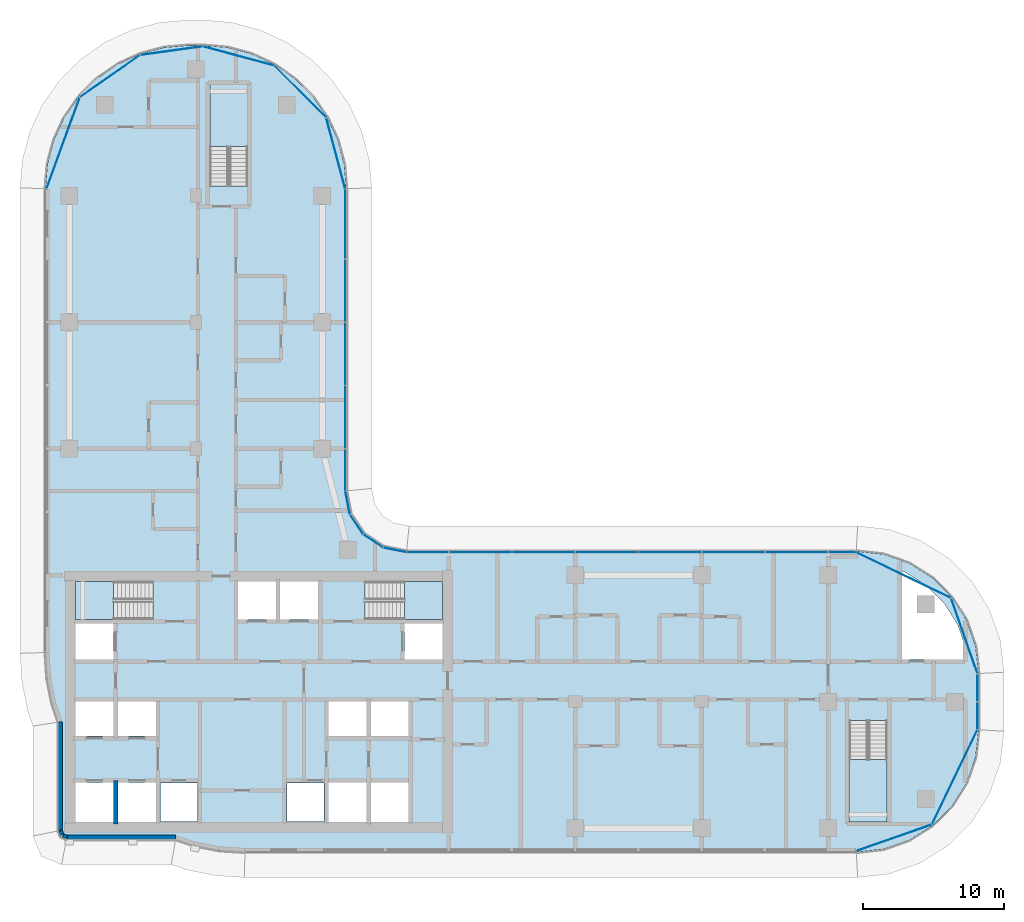
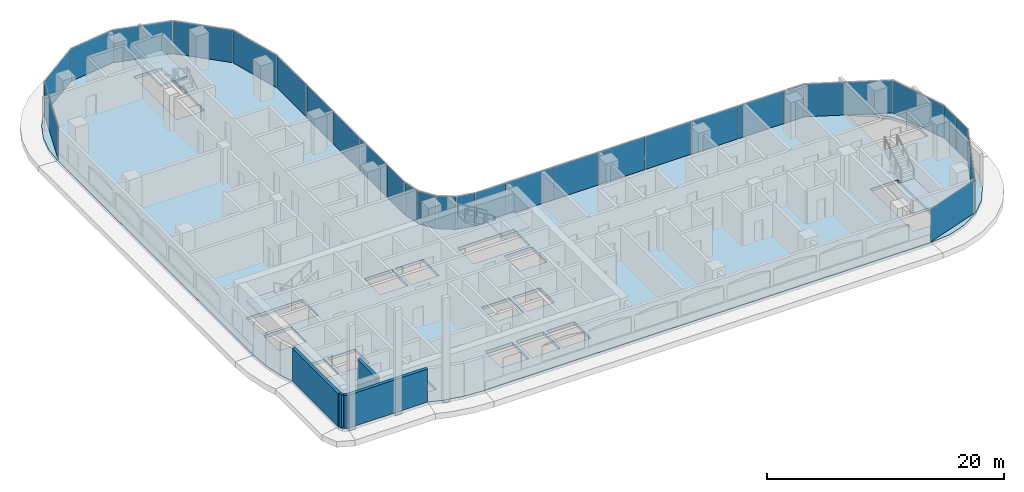
# One storey, part 8 of 25: 29 plates, 5 slabs, 5 walls, 11 elements without a shape of their own.
"""IFC4 building model written with IfcOpenShell, lengths in metres."""

from ifc_helpers import new_model, si_unit, direction, frame, frame_2d, origin, origin_2d, place, context, subcontext, project, spatial, polyline, rectangle, outline, extrude, material, layer, layer_set, type_object, element, aggregate, save


model = new_model("IFC4")

# Units and contexts
model_context = context("Model", 3, precision=1e-05, world=origin(), true_north=direction((0.0, 1.0)))
body_context = subcontext(model_context, "Body", "Model", "MODEL_VIEW")
ifc_project = project(units=[si_unit("LENGTHUNIT", "METRE"), si_unit("AREAUNIT", "SQUARE_METRE"), si_unit("VOLUMEUNIT", "CUBIC_METRE"), si_unit("PLANEANGLEUNIT", "RADIAN"), si_unit("MASSUNIT", "GRAM", prefix="KILO")], contexts=[model_context])

# Site, building, storey
site_placement = place(None, origin())
site = spatial("IfcSite", under=ifc_project, at=site_placement, CompositionType="ELEMENT")
building_placement = place(site_placement, origin())
building = spatial("IfcBuilding", under=site, at=building_placement, Name="Ogive Portal Towers", CompositionType="ELEMENT")
storey_placement = place(building_placement, frame((0.0, 0.0, 124.10009765625)))
storey = spatial("IfcBuildingStorey", under=building, at=storey_placement, Name="L30", CompositionType="ELEMENT", Elevation=124.10009765625)

# Curtain wall, plates
ifc_material_1 = material(Name="Glass, clear low-iron insulated glazing", Category="glass")
curtain_wall_type = type_object("IfcCurtainWallType", Name="CW FRONT RIBBON 4500", PredefinedType="NOTDEFINED", material=ifc_material_1)
curtain_wall_1_placement = place(storey_placement, origin())
curtain_wall_1 = element("IfcCurtainWall", 1, at=curtain_wall_1_placement, inside=storey, type_object=curtain_wall_type, Name="A:L30:f10:cw0", PredefinedType="NOTDEFINED")
ifc_layer_1 = layer(ifc_material_1, 0.028076171875)
ifc_layer_set_1 = layer_set([ifc_layer_1], Name="CW PANEL IGU 28")
plate_type = type_object("IfcPlateType", Name="CW PANEL IGU 28", PredefinedType="CURTAIN_PANEL", material=ifc_layer_set_1)
plate_1_placement = place(storey_placement, frame((96.135009765625, 29.509033203125, 0.0), z_axis=(0.0, 0.0, 1.0), x_axis=(0.0, 1.0, 0.0)))
plate_1 = element("IfcPlate", 2, at=plate_1_placement, type_object=plate_type, Name="panel", PredefinedType="CURTAIN_PANEL", context=body_context, shape_type="SweptSolid", body=[
    extrude(rectangle(XDim=1.921630859375, YDim=0.028076171875, at=origin_2d()), origin(), (0.0, 0.0, 1.0), 3.340087890625),
])
plate_2_placement = place(storey_placement, frame((96.135009765625, 31.4931640625, 0.0), z_axis=(0.0, 0.0, 1.0), x_axis=(0.0, 1.0, 0.0)))
plate_2 = element("IfcPlate", 3, at=plate_2_placement, type_object=plate_type, Name="panel", PredefinedType="CURTAIN_PANEL", context=body_context, shape_type="SweptSolid", body=[
    extrude(rectangle(XDim=1.926513671875, YDim=0.028076171875, at=origin_2d()), origin(), (0.0, 0.0, 1.0), 3.340087890625),
])
aggregate(curtain_wall_1, [plate_1, plate_2])

curtain_wall_2_placement = place(storey_placement, origin())
curtain_wall_2 = element("IfcCurtainWall", 4, at=curtain_wall_2_placement, inside=storey, type_object=curtain_wall_type, Name="A:L30:f13:cw0", PredefinedType="NOTDEFINED")
plate_3_placement = place(storey_placement, frame((86.490966796875, 41.135009765625, 0.0), z_axis=(0.0, 0.0, 1.0), x_axis=(-1.0, 0.0, 0.0)))
plate_3 = element("IfcPlate", 5, at=plate_3_placement, type_object=plate_type, Name="panel", PredefinedType="CURTAIN_PANEL", context=body_context, shape_type="SweptSolid", body=[
    extrude(rectangle(XDim=1.921630859375, YDim=0.028076171875, at=origin_2d()), origin(), (0.0, 0.0, 1.0), 3.340087890625),
])
plate_4_placement = place(storey_placement, frame((83.25, 41.135009765625, 0.0), z_axis=(0.0, 0.0, 1.0), x_axis=(-1.0, 0.0, 0.0)))
plate_4 = element("IfcPlate", 6, at=plate_4_placement, type_object=plate_type, Name="panel", PredefinedType="CURTAIN_PANEL", context=body_context, shape_type="SweptSolid", body=[
    extrude(rectangle(XDim=4.43994140625, YDim=0.028076171875, at=origin_2d()), origin(), (0.0, 0.0, 1.0), 3.340087890625),
])
plate_5_placement = place(storey_placement, frame((78.75, 41.135009765625, 0.0), z_axis=(0.0, 0.0, 1.0), x_axis=(-1.0, 0.0, 0.0)))
plate_5 = element("IfcPlate", 7, at=plate_5_placement, type_object=plate_type, Name="panel", PredefinedType="CURTAIN_PANEL", context=body_context, shape_type="SweptSolid", body=[
    extrude(rectangle(XDim=4.43994140625, YDim=0.028076171875, at=origin_2d()), origin(), (0.0, 0.0, 1.0), 3.340087890625),
])
plate_6_placement = place(storey_placement, frame((74.25, 41.135009765625, 0.0), z_axis=(0.0, 0.0, 1.0), x_axis=(-1.0, 0.0, 0.0)))
plate_6 = element("IfcPlate", 8, at=plate_6_placement, type_object=plate_type, Name="panel", PredefinedType="CURTAIN_PANEL", context=body_context, shape_type="SweptSolid", body=[
    extrude(rectangle(XDim=4.43994140625, YDim=0.028076171875, at=origin_2d()), origin(), (0.0, 0.0, 1.0), 3.340087890625),
])
plate_7_placement = place(storey_placement, frame((69.75, 41.135009765625, 0.0), z_axis=(0.0, 0.0, 1.0), x_axis=(-1.0, 0.0, 0.0)))
plate_7 = element("IfcPlate", 9, at=plate_7_placement, type_object=plate_type, Name="panel", PredefinedType="CURTAIN_PANEL", context=body_context, shape_type="SweptSolid", body=[
    extrude(rectangle(XDim=4.43994140625, YDim=0.028076171875, at=origin_2d()), origin(), (0.0, 0.0, 1.0), 3.340087890625),
])
plate_8_placement = place(storey_placement, frame((65.25, 41.135009765625, 0.0), z_axis=(0.0, 0.0, 1.0), x_axis=(-1.0, 0.0, 0.0)))
plate_8 = element("IfcPlate", 10, at=plate_8_placement, type_object=plate_type, Name="panel", PredefinedType="CURTAIN_PANEL", context=body_context, shape_type="SweptSolid", body=[
    extrude(rectangle(XDim=4.43994140625, YDim=0.028076171875, at=origin_2d()), origin(), (0.0, 0.0, 1.0), 3.340087890625),
])
plate_9_placement = place(storey_placement, frame((60.75, 41.135009765625, 0.0), z_axis=(0.0, 0.0, 1.0), x_axis=(-1.0, 0.0, 0.0)))
plate_9 = element("IfcPlate", 11, at=plate_9_placement, type_object=plate_type, Name="panel", PredefinedType="CURTAIN_PANEL", context=body_context, shape_type="SweptSolid", body=[
    extrude(rectangle(XDim=4.43994140625, YDim=0.028076171875, at=origin_2d()), origin(), (0.0, 0.0, 1.0), 3.340087890625),
])
plate_10_placement = place(storey_placement, frame((56.99609375, 41.135009765625, 0.0), z_axis=(0.0, 0.0, 1.0), x_axis=(-1.0, 0.0, 0.0)))
plate_10 = element("IfcPlate", 12, at=plate_10_placement, type_object=plate_type, Name="panel", PredefinedType="CURTAIN_PANEL", context=body_context, shape_type="SweptSolid", body=[
    extrude(rectangle(XDim=2.947998046875, YDim=0.028076171875, at=origin_2d()), origin(), (0.0, 0.0, 1.0), 3.340087890625),
])
aggregate(curtain_wall_2, [plate_3, plate_4, plate_5, plate_6, plate_7, plate_8, plate_9, plate_10])

curtain_wall_3_placement = place(storey_placement, origin())
curtain_wall_3 = element("IfcCurtainWall", 13, at=curtain_wall_3_placement, inside=storey, type_object=curtain_wall_type, Name="A:L30:f18:cw0", PredefinedType="NOTDEFINED")
plate_11_placement = place(storey_placement, frame((51.135009765625, 46.99609375, 0.0), z_axis=(0.0, 0.0, 1.0), x_axis=(0.0, 1.0, 0.0)))
plate_11 = element("IfcPlate", 14, at=plate_11_placement, type_object=plate_type, Name="panel", PredefinedType="CURTAIN_PANEL", context=body_context, shape_type="SweptSolid", body=[
    extrude(rectangle(XDim=2.947998046875, YDim=0.028076171875, at=origin_2d()), origin(), (0.0, 0.0, 1.0), 3.340087890625),
])
plate_12_placement = place(storey_placement, frame((51.135009765625, 50.75, 0.0), z_axis=(0.0, 0.0, 1.0), x_axis=(0.0, 1.0, 0.0)))
plate_12 = element("IfcPlate", 15, at=plate_12_placement, type_object=plate_type, Name="panel", PredefinedType="CURTAIN_PANEL", context=body_context, shape_type="SweptSolid", body=[
    extrude(rectangle(XDim=4.43994140625, YDim=0.028076171875, at=origin_2d()), origin(), (0.0, 0.0, 1.0), 3.340087890625),
])
plate_13_placement = place(storey_placement, frame((51.135009765625, 55.25, 0.0), z_axis=(0.0, 0.0, 1.0), x_axis=(0.0, 1.0, 0.0)))
plate_13 = element("IfcPlate", 16, at=plate_13_placement, type_object=plate_type, Name="panel", PredefinedType="CURTAIN_PANEL", context=body_context, shape_type="SweptSolid", body=[
    extrude(rectangle(XDim=4.43994140625, YDim=0.028076171875, at=origin_2d()), origin(), (0.0, 0.0, 1.0), 3.340087890625),
])
plate_14_placement = place(storey_placement, frame((51.135009765625, 59.75, 0.0), z_axis=(0.0, 0.0, 1.0), x_axis=(0.0, 1.0, 0.0)))
plate_14 = element("IfcPlate", 17, at=plate_14_placement, type_object=plate_type, Name="panel", PredefinedType="CURTAIN_PANEL", context=body_context, shape_type="SweptSolid", body=[
    extrude(rectangle(XDim=4.43994140625, YDim=0.028076171875, at=origin_2d()), origin(), (0.0, 0.0, 1.0), 3.340087890625),
])
plate_15_placement = place(storey_placement, frame((51.135009765625, 64.49462890625, 0.0), z_axis=(0.0, 0.0, 1.0), x_axis=(0.0, 1.0, 0.0)))
plate_15 = element("IfcPlate", 18, at=plate_15_placement, type_object=plate_type, Name="panel", PredefinedType="CURTAIN_PANEL", context=body_context, shape_type="SweptSolid", body=[
    extrude(rectangle(XDim=4.929443359375, YDim=0.028076171875, at=origin_2d()), origin(), (0.0, 0.0, 1.0), 3.340087890625),
])
aggregate(curtain_wall_3, [plate_11, plate_12, plate_13, plate_14, plate_15])

curtain_wall_4_placement = place(storey_placement, origin())
curtain_wall_4 = element("IfcCurtainWall", 19, at=curtain_wall_4_placement, inside=storey, type_object=curtain_wall_type, Name="A:L30:f08:cwa", PredefinedType="NOTDEFINED")
plate_16_placement = place(storey_placement, frame((90.18115234375, 20.807861328125, 0.0), z_axis=(0.0, 0.0, 1.0), x_axis=(0.943883330307, 0.33027906196, 0.0)))
plate_16 = element("IfcPlate", 20, at=plate_16_placement, type_object=plate_type, Name="panel", PredefinedType="CURTAIN_PANEL", context=body_context, shape_type="SweptSolid", body=[
    extrude(rectangle(XDim=5.650146484375, YDim=0.028076171875, at=origin_2d()), origin(), (0.0, 0.0, 1.0), 3.340087890625),
])
plate_17_placement = place(storey_placement, frame((94.505615234375, 25.134521484375, 0.0), z_axis=(0.0, 0.0, 1.0), x_axis=(0.433883739113, 0.900968867905, 0.0)))
plate_17 = element("IfcPlate", 21, at=plate_17_placement, type_object=plate_type, Name="panel", PredefinedType="CURTAIN_PANEL", context=body_context, shape_type="SweptSolid", body=[
    extrude(rectangle(XDim=7.451171875, YDim=0.028076171875, at=origin_2d()), origin(), (0.0, 0.0, 1.0), 3.340087890625),
])
aggregate(curtain_wall_4, [plate_16, plate_17])

curtain_wall_5_placement = place(storey_placement, origin())
curtain_wall_5 = element("IfcCurtainWall", 22, at=curtain_wall_5_placement, inside=storey, type_object=curtain_wall_type, Name="A:L30:f11:cwa", PredefinedType="NOTDEFINED")
plate_18_placement = place(storey_placement, frame((95.192138671875, 35.18115234375, 0.0), z_axis=(0.0, 0.0, 1.0), x_axis=(-0.33027906196, 0.943883330307, 0.0)))
plate_18 = element("IfcPlate", 23, at=plate_18_placement, type_object=plate_type, Name="panel", PredefinedType="CURTAIN_PANEL", context=body_context, shape_type="SweptSolid", body=[
    extrude(rectangle(XDim=5.650146484375, YDim=0.028076171875, at=origin_2d()), origin(), (0.0, 0.0, 1.0), 3.340087890625),
])
plate_19_placement = place(storey_placement, frame((90.865478515625, 39.505615234375, 0.0), z_axis=(0.0, 0.0, 1.0), x_axis=(-0.900968867905, 0.433883739113, 0.0)))
plate_19 = element("IfcPlate", 24, at=plate_19_placement, type_object=plate_type, Name="panel", PredefinedType="CURTAIN_PANEL", context=body_context, shape_type="SweptSolid", body=[
    extrude(rectangle(XDim=7.451171875, YDim=0.028076171875, at=origin_2d()), origin(), (0.0, 0.0, 1.0), 3.340087890625),
])
aggregate(curtain_wall_5, [plate_18, plate_19])

curtain_wall_6_placement = place(storey_placement, origin())
curtain_wall_6 = element("IfcCurtainWall", 25, at=curtain_wall_6_placement, inside=storey, type_object=curtain_wall_type, Name="A:L30:f14:cwa", PredefinedType="NOTDEFINED")
plate_20_placement = place(storey_placement, frame((54.66064453125, 41.30029296875, 0.0), z_axis=(0.0, 0.0, 1.0), x_axis=(-0.980785280403, 0.195090322016, 0.0)))
plate_20 = element("IfcPlate", 26, at=plate_20_placement, type_object=plate_type, Name="panel", PredefinedType="CURTAIN_PANEL", context=body_context, shape_type="SweptSolid", body=[
    extrude(rectangle(XDim=1.6357421875, YDim=0.028076171875, at=origin_2d()), origin(), (0.0, 0.0, 1.0), 3.340087890625),
])
plate_21_placement = place(storey_placement, frame((53.12060546875, 41.939208984375, 0.0), z_axis=(0.0, 0.0, 1.0), x_axis=(-0.831469612303, 0.55557023302, 0.0)))
plate_21 = element("IfcPlate", 27, at=plate_21_placement, type_object=plate_type, Name="panel", PredefinedType="CURTAIN_PANEL", context=body_context, shape_type="SweptSolid", body=[
    extrude(rectangle(XDim=1.643798828125, YDim=0.028076171875, at=origin_2d()), origin(), (0.0, 0.0, 1.0), 3.340087890625),
])
plate_22_placement = place(storey_placement, frame((51.939208984375, 43.12060546875, 0.0), z_axis=(0.0, 0.0, 1.0), x_axis=(-0.55557023302, 0.831469612303, 0.0)))
plate_22 = element("IfcPlate", 28, at=plate_22_placement, type_object=plate_type, Name="panel", PredefinedType="CURTAIN_PANEL", context=body_context, shape_type="SweptSolid", body=[
    extrude(rectangle(XDim=1.643798828125, YDim=0.028076171875, at=origin_2d()), origin(), (0.0, 0.0, 1.0), 3.340087890625),
])
plate_23_placement = place(storey_placement, frame((51.30029296875, 44.66064453125, 0.0), z_axis=(0.0, 0.0, 1.0), x_axis=(-0.195090322016, 0.980785280403, 0.0)))
plate_23 = element("IfcPlate", 29, at=plate_23_placement, type_object=plate_type, Name="panel", PredefinedType="CURTAIN_PANEL", context=body_context, shape_type="SweptSolid", body=[
    extrude(rectangle(XDim=1.6357421875, YDim=0.028076171875, at=origin_2d()), origin(), (0.0, 0.0, 1.0), 3.340087890625),
])
aggregate(curtain_wall_6, [plate_20, plate_21, plate_22, plate_23])

curtain_wall_7_placement = place(storey_placement, origin())
curtain_wall_7 = element("IfcCurtainWall", 30, at=curtain_wall_7_placement, inside=storey, type_object=curtain_wall_type, Name="A:L30:f19:cwa", PredefinedType="NOTDEFINED")
plate_24_placement = place(storey_placement, frame((50.454833984375, 69.52783203125, 0.0), z_axis=(0.0, 0.0, 1.0), x_axis=(-0.258819045103, 0.965925826289, 0.0)))
plate_24 = element("IfcPlate", 31, at=plate_24_placement, type_object=plate_type, Name="panel", PredefinedType="CURTAIN_PANEL", context=body_context, shape_type="SweptSolid", body=[
    extrude(rectangle(XDim=5.19580078125, YDim=0.028076171875, at=origin_2d()), origin(), (0.0, 0.0, 1.0), 3.340087890625),
])
plate_25_placement = place(storey_placement, frame((47.92041015625, 73.92041015625, 0.0), z_axis=(0.0, 0.0, 1.0), x_axis=(-0.707106781187, 0.707106781187, 0.0)))
plate_25 = element("IfcPlate", 32, at=plate_25_placement, type_object=plate_type, Name="panel", PredefinedType="CURTAIN_PANEL", context=body_context, shape_type="SweptSolid", body=[
    extrude(rectangle(XDim=5.184814453125, YDim=0.028076171875, at=origin_2d()), origin(), (0.0, 0.0, 1.0), 3.340087890625),
])
plate_26_placement = place(storey_placement, frame((43.530517578125, 76.4541015625, 0.0), z_axis=(0.0, 0.0, 1.0), x_axis=(-0.965925826289, 0.258819045103, 0.0)))
plate_26 = element("IfcPlate", 33, at=plate_26_placement, type_object=plate_type, Name="panel", PredefinedType="CURTAIN_PANEL", context=body_context, shape_type="SweptSolid", body=[
    extrude(rectangle(XDim=5.190185546875, YDim=0.028076171875, at=origin_2d()), origin(), (0.0, 0.0, 1.0), 3.340087890625),
])
plate_27_placement = place(storey_placement, frame((38.765625, 76.827880859375, 0.0), z_axis=(0.0, 0.0, 1.0), x_axis=(-0.990733764465, -0.135818290186, 0.0)))
plate_27 = element("IfcPlate", 34, at=plate_27_placement, type_object=plate_type, Name="panel", PredefinedType="CURTAIN_PANEL", context=body_context, shape_type="SweptSolid", body=[
    extrude(rectangle(XDim=4.440185546875, YDim=0.028076171875, at=origin_2d()), origin(), (0.0, 0.0, 1.0), 3.340087890625),
])
plate_28_placement = place(storey_placement, frame((34.388916015625, 75.0185546875, 0.0), z_axis=(0.0, 0.0, 1.0), x_axis=(-0.819152044289, -0.573576436351, 0.0)))
plate_28 = element("IfcPlate", 35, at=plate_28_placement, type_object=plate_type, Name="panel", PredefinedType="CURTAIN_PANEL", context=body_context, shape_type="SweptSolid", body=[
    extrude(rectangle(XDim=5.18310546875, YDim=0.028076171875, at=origin_2d()), origin(), (0.0, 0.0, 1.0), 3.340087890625),
])
plate_29_placement = place(storey_placement, frame((31.05322265625, 70.25048828125, 0.0), z_axis=(0.0, 0.0, 1.0), x_axis=(-0.342020143326, -0.939692620786, 0.0)))
plate_29 = element("IfcPlate", 36, at=plate_29_placement, type_object=plate_type, Name="panel", PredefinedType="CURTAIN_PANEL", context=body_context, shape_type="SweptSolid", body=[
    extrude(rectangle(XDim=6.88818359375, YDim=0.028076171875, at=origin_2d()), origin(), (0.0, 0.0, 1.0), 3.340087890625),
])
aggregate(curtain_wall_7, [plate_24, plate_25, plate_26, plate_27, plate_28, plate_29])

# Stair, slab
ifc_material_2 = material(Name="Concrete C40/50", Category="concrete")
stair_type = type_object("IfcStairType", Name="INT-STAIR", PredefinedType="HALF_TURN_STAIR", material=ifc_material_2)
stair_1_placement = place(storey_placement, origin())
stair_1 = element("IfcStair", 37, at=stair_1_placement, inside=storey, type_object=stair_type, Name="L30 Exit Stair ST-A1", PredefinedType="HALF_TURN_STAIR")
ifc_layer_2 = layer(ifc_material_2, 0.199951171875)
ifc_layer_set_2 = layer_set([ifc_layer_2], Name="INT-LANDING")
slab_type_1 = type_object("IfcSlabType", Name="INT-LANDING", PredefinedType="LANDING", material=ifc_layer_set_2)
slab_1_placement = place(storey_placement, frame((0.0, 0.0, 1.64990234375)))
slab_1 = element("IfcSlab", 38, at=slab_1_placement, type_object=slab_type_1, Name="ST-A1 landing 1", PredefinedType="LANDING", context=body_context, shape_type="SweptSolid", body=[
    extrude(outline(polyline([(34.64990234375, 39.050048828125), (31.949951171875, 39.050048828125), (31.949951171875, 36.35009765625), (34.64990234375, 36.35009765625), (34.64990234375, 39.050048828125)])), origin(), (0.0, 0.0, 1.0), 0.199951171875),
])
aggregate(stair_1, [slab_1])

stair_2_placement = place(storey_placement, origin())
stair_2 = element("IfcStair", 39, at=stair_2_placement, inside=storey, type_object=stair_type, Name="L30 Exit Stair ST-A2", PredefinedType="HALF_TURN_STAIR")
slab_2_placement = place(storey_placement, frame((0.0, 0.0, 1.64990234375)))
slab_2 = element("IfcSlab", 40, at=slab_2_placement, type_object=slab_type_1, Name="ST-A2 landing 1", PredefinedType="LANDING", context=body_context, shape_type="SweptSolid", body=[
    extrude(outline(polyline([(55.35009765625, 36.35009765625), (58.050048828125, 36.35009765625), (58.050048828125, 39.050048828125), (55.35009765625, 39.050048828125), (55.35009765625, 36.35009765625)])), origin(), (0.0, 0.0, 1.0), 0.199951171875),
])
aggregate(stair_2, [slab_2])

stair_3_placement = place(storey_placement, origin())
stair_3 = element("IfcStair", 41, at=stair_3_placement, inside=storey, type_object=stair_type, Name="L30 Exit Stair ST-A3", PredefinedType="HALF_TURN_STAIR")
slab_3_placement = place(storey_placement, frame((0.0, 0.0, 1.64990234375)))
slab_3 = element("IfcSlab", 42, at=slab_3_placement, type_object=slab_type_1, Name="ST-A3 landing 1", PredefinedType="LANDING", context=body_context, shape_type="SweptSolid", body=[
    extrude(outline(polyline([(44.199951171875, 70.0), (44.199951171875, 74.449951171875), (41.5, 74.449951171875), (41.5, 70.0), (44.199951171875, 70.0)])), origin(), (0.0, 0.0, 1.0), 0.199951171875),
])
aggregate(stair_3, [slab_3])

stair_4_placement = place(storey_placement, origin())
stair_4 = element("IfcStair", 43, at=stair_4_placement, inside=storey, type_object=stair_type, Name="L30 Exit Stair ST-A4", PredefinedType="HALF_TURN_STAIR")
slab_4_placement = place(storey_placement, frame((0.0, 0.0, 1.64990234375)))
slab_4 = element("IfcSlab", 44, at=slab_4_placement, type_object=slab_type_1, Name="ST-A4 landing 1", PredefinedType="LANDING", context=body_context, shape_type="SweptSolid", body=[
    extrude(outline(polyline([(87.0, 26.3701171875), (87.0, 21.949951171875), (89.699951171875, 21.949951171875), (89.699951171875, 26.3701171875), (87.0, 26.3701171875)])), origin(), (0.0, 0.0, 1.0), 0.199951171875),
])
aggregate(stair_4, [slab_4])

# Slab
ifc_material_3 = material(Name="Concrete C45/55", Category="concrete")
ifc_layer_3 = layer(ifc_material_3, 0.300048828125)
ifc_layer_set_3 = layer_set([ifc_layer_3], Name="PT FLAT PLATE 300")
slab_type_2 = type_object("IfcSlabType", Name="PT FLAT PLATE 300", PredefinedType="FLOOR", material=ifc_layer_set_3)
slab_5_placement = place(storey_placement, frame((0.0, 0.0, -0.300048828125)))
element("IfcSlab", 45, at=slab_5_placement, inside=storey, type_object=slab_type_2, Name="Floor slab L30", PredefinedType="FLOOR", context=body_context, shape_type="SweptSolid", body=[
    extrude(outline(polyline([(29.906494140625, 32.14453125), (30.269287109375, 30.32080078125), (30.699951171875, 29.05224609375), (30.699951171875, 21.300048828125), (30.875732421875, 20.875732421875), (31.300048828125, 20.699951171875), (39.05224609375, 20.699951171875), (40.32080078125, 20.269287109375), (42.14453125, 19.906494140625), (44.0, 19.784912109375), (87.5, 19.784912109375), (89.439208984375, 20.00341796875), (91.28125, 20.648193359375), (92.93359375, 21.686279296875), (94.313720703125, 23.06640625), (95.351806640625, 24.71875), (95.99658203125, 26.560791015625), (96.215087890625, 28.5), (96.215087890625, 32.5), (95.99658203125, 34.439208984375), (95.351806640625, 36.28125), (94.313720703125, 37.93359375), (92.93359375, 39.313720703125), (91.28125, 40.351806640625), (89.439208984375, 40.99658203125), (87.5, 41.215087890625), (55.5, 41.215087890625), (53.860107421875, 41.541259765625), (52.469970703125, 42.469970703125), (51.541259765625, 43.860107421875), (51.215087890625, 45.5), (51.215087890625, 67.0), (51.059814453125, 68.773681640625), (50.59912109375, 70.49365234375), (49.846435546875, 72.107421875), (48.8251953125, 73.566162109375), (47.566162109375, 74.8251953125), (46.107421875, 75.846435546875), (44.49365234375, 76.59912109375), (42.773681640625, 77.059814453125), (41.0, 77.215087890625), (40.0, 77.215087890625), (38.226318359375, 77.059814453125), (36.50634765625, 76.59912109375), (34.892578125, 75.846435546875), (33.433837890625, 74.8251953125), (32.1748046875, 73.566162109375), (31.153564453125, 72.107421875), (30.40087890625, 70.49365234375), (29.940185546875, 68.773681640625), (29.784912109375, 67.0), (29.784912109375, 34.0), (29.906494140625, 32.14453125)]), holes=[polyline([(34.64990234375, 24.75), (34.64990234375, 21.949951171875), (31.949951171875, 21.949951171875), (31.949951171875, 24.75), (34.64990234375, 24.75)]), polyline([(37.64990234375, 24.75), (37.64990234375, 21.949951171875), (34.949951171875, 21.949951171875), (34.949951171875, 24.75), (37.64990234375, 24.75)]), polyline([(40.6298828125, 21.969970703125), (37.969970703125, 21.969970703125), (37.969970703125, 24.72998046875), (40.6298828125, 24.72998046875), (40.6298828125, 21.969970703125)]), polyline([(34.64990234375, 30.5), (34.64990234375, 28.050048828125), (31.949951171875, 28.050048828125), (31.949951171875, 30.5), (34.64990234375, 30.5)]), polyline([(37.64990234375, 30.5), (37.64990234375, 28.050048828125), (34.949951171875, 28.050048828125), (34.949951171875, 30.5), (37.64990234375, 30.5)]), polyline([(34.64990234375, 36.050048828125), (34.64990234375, 33.5), (31.949951171875, 33.5), (31.949951171875, 36.050048828125), (34.64990234375, 36.050048828125)]), polyline([(31.951904296875, 39.048095703125), (37.447998046875, 39.048095703125), (37.447998046875, 36.35205078125), (31.951904296875, 36.35205078125), (31.951904296875, 39.048095703125)]), polyline([(46.199951171875, 36.35009765625), (43.5, 36.35009765625), (43.5, 39.050048828125), (46.199951171875, 39.050048828125), (46.199951171875, 36.35009765625)]), polyline([(49.199951171875, 36.35009765625), (46.5, 36.35009765625), (46.5, 39.050048828125), (49.199951171875, 39.050048828125), (49.199951171875, 36.35009765625)]), polyline([(44.197998046875, 74.447998046875), (44.197998046875, 67.201904296875), (41.501953125, 67.201904296875), (41.501953125, 74.447998046875), (44.197998046875, 74.447998046875)]), polyline([(49.6298828125, 21.969970703125), (46.969970703125, 21.969970703125), (46.969970703125, 24.72998046875), (49.6298828125, 24.72998046875), (49.6298828125, 21.969970703125)]), polyline([(52.64990234375, 24.75), (52.64990234375, 21.949951171875), (49.949951171875, 21.949951171875), (49.949951171875, 24.75), (52.64990234375, 24.75)]), polyline([(55.64990234375, 21.949951171875), (52.949951171875, 21.949951171875), (52.949951171875, 24.75), (55.64990234375, 24.75), (55.64990234375, 21.949951171875)]), polyline([(87.001953125, 29.16796875), (89.697998046875, 29.16796875), (89.697998046875, 21.951904296875), (87.001953125, 21.951904296875), (87.001953125, 29.16796875)]), polyline([(52.64990234375, 30.5), (52.64990234375, 28.050048828125), (49.949951171875, 28.050048828125), (49.949951171875, 30.5), (52.64990234375, 30.5)]), polyline([(55.64990234375, 30.5), (55.64990234375, 28.050048828125), (52.949951171875, 28.050048828125), (52.949951171875, 30.5), (55.64990234375, 30.5)]), polyline([(58.050048828125, 36.050048828125), (58.050048828125, 33.5), (55.35009765625, 33.5), (55.35009765625, 36.050048828125), (58.050048828125, 36.050048828125)]), polyline([(94.71728515625, 35.9755859375), (95.080078125, 34.93896484375), (95.080078125, 33.52001953125), (90.77001953125, 33.52001953125), (90.77001953125, 39.789306640625), (90.9755859375, 39.71728515625), (92.494384765625, 38.762939453125), (93.762939453125, 37.494384765625), (94.71728515625, 35.9755859375)]), polyline([(52.552001953125, 36.35205078125), (52.552001953125, 39.048095703125), (58.048095703125, 39.048095703125), (58.048095703125, 36.35205078125), (52.552001953125, 36.35205078125)])]), origin(), (0.0, 0.0, 1.0), 0.300048828125),
])

# Walls
ifc_material_4 = material(Name="Limestone cladding on lightweight block wall", Category="masonry")
ifc_layer_4 = layer(ifc_material_4, 0.300048828125)
ifc_layer_set_4 = layer_set([ifc_layer_4], Name="EXTERNAL WALL 300 STONE")
wall_type_1 = type_object("IfcWallType", Name="EXTERNAL WALL 300 STONE", PredefinedType="SOLIDWALL", material=ifc_layer_set_4)
wall_1_placement = place(storey_placement, frame((30.85009765625, 29.05224609375, 0.0), z_axis=(0.0, 0.0, 1.0), x_axis=(0.0, -1.0, 0.0)))
element("IfcWall", 46, at=wall_1_placement, inside=storey, type_object=wall_type_1, Name="A:L30:f00:r0:wall", PredefinedType="SOLIDWALL", context=body_context, shape_type="SweptSolid", body=[
    extrude(rectangle(XDim=7.692626953125, YDim=0.300048828125, at=frame_2d((3.84619140625, 0.0))), origin(), (0.0, 0.0, 1.0), 3.39990234375),
])
for number, where, z_axis, x_axis, name in (
    (47, (30.861328125, 21.30224609375, 0.0), (0.0, 0.0, 1.0), (0.38297812142, -0.923757413239, 0.0), "A:L30:f01:r0:wall"),
    (48, (31.0478515625, 20.966796875, 0.0), (0.0, 0.0, 1.0), (0.923757413239, -0.38297812142, 0.0), "A:L30:f02:r0:wall"),
):
    element("IfcWall", number, at=place(storey_placement, frame(where, z_axis=z_axis, x_axis=x_axis)), inside=storey, type_object=wall_type_1, Name=name, PredefinedType="SOLIDWALL", context=body_context, shape_type="SweptSolid", body=[
        extrude(rectangle(XDim=0.275390625, YDim=0.300048828125, at=frame_2d((0.1376953125, 0.0))), origin(), (0.0, 0.0, 1.0), 3.39990234375),
    ])
wall_2_placement = place(storey_placement, frame((31.359619140625, 20.85009765625, 0.0), z_axis=(0.0, 0.0, 1.0), x_axis=(1.0, 0.0, 0.0)))
element("IfcWall", 49, at=wall_2_placement, inside=storey, type_object=wall_type_1, Name="A:L30:f03:r0:wall", PredefinedType="SOLIDWALL", context=body_context, shape_type="SweptSolid", body=[
    extrude(rectangle(XDim=7.692626953125, YDim=0.300048828125, at=frame_2d((3.84619140625, 0.0))), origin(), (0.0, 0.0, 1.0), 3.39990234375),
])
ifc_layer_5 = layer(ifc_material_2, 0.300048828125)
ifc_layer_set_5 = layer_set([ifc_layer_5], Name="WT-SHAFT-300")
wall_type_2 = type_object("IfcWallType", Name="WT-SHAFT-300", PredefinedType="SOLIDWALL", material=ifc_layer_set_5)
wall_3_placement = place(storey_placement, frame((34.800048828125, 21.800048828125, 0.0), z_axis=(0.0, 0.0, 1.0), x_axis=(0.0, 1.0, 0.0)))
element("IfcWall", 50, at=wall_3_placement, inside=storey, type_object=wall_type_2, Name="Wall pw:008:L30", PredefinedType="SOLIDWALL", context=body_context, shape_type="SweptSolid", body=[
    extrude(rectangle(XDim=3.099853515625, YDim=0.300048828125, at=frame_2d((1.5498046875, 0.0))), origin(), (0.0, 0.0, 1.0), 3.39990234375),
])

save(model, "model.ifc")
